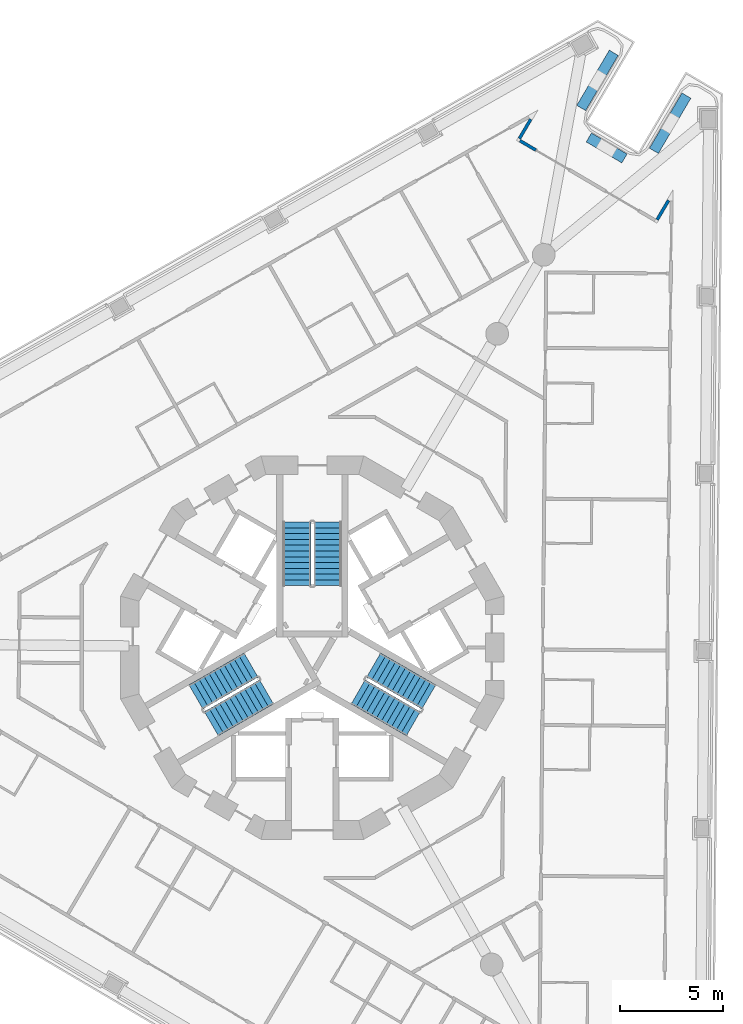
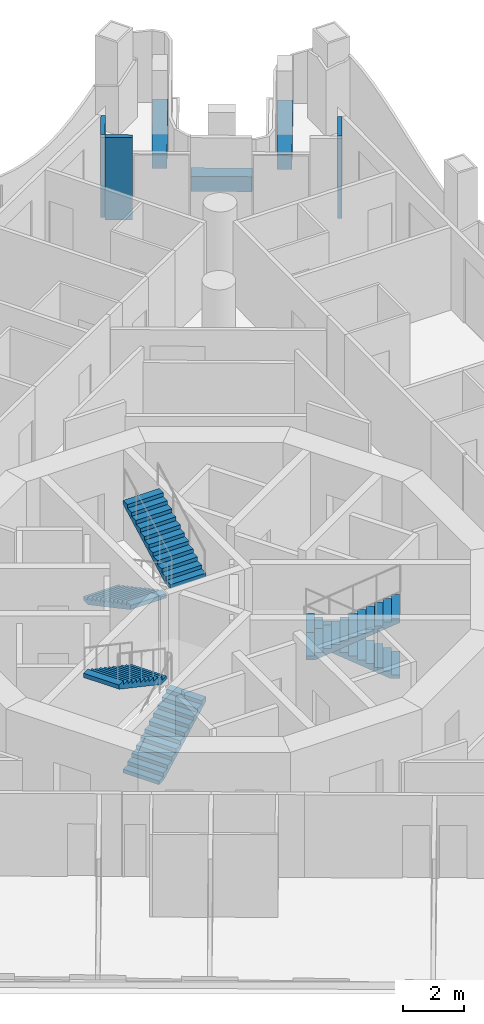
# One storey, part 10 of 17: 6 stair flights, 6 walls, 3 elements without a shape of their own.
"""IFC4 building model written with IfcOpenShell, lengths in metres."""

from ifc_helpers import new_model, si_unit, direction, frame, frame_2d, origin, place, context, subcontext, project, spatial, polyline, rectangle, outline, extrude, material, layer, layer_set, type_object, element, aggregate, save


model = new_model("IFC4")

# Units and contexts
model_context = context("Model", 3, precision=1e-05, world=origin(), true_north=direction((0.0, 1.0)))
body_context = subcontext(model_context, "Body", "Model", "MODEL_VIEW")
ifc_project = project(units=[si_unit("LENGTHUNIT", "METRE"), si_unit("AREAUNIT", "SQUARE_METRE"), si_unit("VOLUMEUNIT", "CUBIC_METRE"), si_unit("PLANEANGLEUNIT", "RADIAN"), si_unit("MASSUNIT", "GRAM", prefix="KILO")], contexts=[model_context])

# Site, building, storey
site_placement = place(None, origin())
site = spatial("IfcSite", under=ifc_project, at=site_placement, CompositionType="ELEMENT")
building_placement = place(site_placement, origin())
building = spatial("IfcBuilding", under=site, at=building_placement, Name="Trine Commons Tower", CompositionType="ELEMENT")
storey_placement = place(building_placement, frame((0.0, 0.0, 168.300048828125)))
storey = spatial("IfcBuildingStorey", under=building, at=storey_placement, Name="L43", CompositionType="ELEMENT", Elevation=168.300048828125)

# Walls
ifc_material_1 = material(Name="Aluminium-framed insulated wall panel", Category="aluminium")
ifc_layer_1 = layer(ifc_material_1, 0.14990234375)
ifc_layer_set_1 = layer_set([ifc_layer_1], Name="Aluminium-framed insulated wall panel")
wall_type_1 = type_object("IfcWallType", Name="Glazed frame wall 150, EI 60", PredefinedType="SOLIDWALL", material=ifc_layer_set_1)
wall_1_placement = place(storey_placement, frame((90.63720703125, 88.173583984375, 0.0), z_axis=(0.0, 0.0, 1.0), x_axis=(-0.507591242276, -0.861598009958, 0.0)))
element("IfcWall", 1, at=wall_1_placement, inside=storey, type_object=wall_type_1, Name="Glazed frame wall R5", PredefinedType="SOLIDWALL", context=body_context, shape_type="SweptSolid", body=[
    extrude(outline(polyline([(0.1494140625, 0.074951171875), (0.1494140625, -0.074951171875), (1.235107421875, -0.074951171875), (1.235107421875, 0.074951171875), (0.1494140625, 0.074951171875)])), origin(), (0.0, 0.0, 1.0), 3.300048828125),
])
wall_2_placement = place(storey_placement, frame((89.9423828125, 87.062744140625, 0.0), z_axis=(0.0, 0.0, 1.0), x_axis=(0.861601384654, -0.50758551394, 0.0)))
element("IfcWall", 2, at=wall_2_placement, inside=storey, type_object=wall_type_1, Name="Glazed frame wall P2.1", PredefinedType="SOLIDWALL", context=body_context, shape_type="SweptSolid", body=[
    extrude(outline(polyline([(0.110107421875, -0.074951171875), (1.0, -0.074951171875), (1.0, 0.074951171875), (0.110107421875, 0.074951171875), (0.110107421875, -0.074951171875)])), origin(), (0.0, 0.0, 1.0), 3.300048828125),
])
wall_3_placement = place(storey_placement, frame((96.614990234375, 83.091552734375, 0.0), z_axis=(0.0, 0.0, 1.0), x_axis=(0.507511857062, 0.86164477306, 0.0)))
element("IfcWall", 3, at=wall_3_placement, inside=storey, type_object=wall_type_1, Name="Glazed frame wall R7", PredefinedType="SOLIDWALL", context=body_context, shape_type="SweptSolid", body=[
    extrude(outline(polyline([(0.110107421875, 0.074951171875), (0.110107421875, -0.074951171875), (1.19580078125, -0.074951171875), (1.19580078125, 0.074951171875), (0.110107421875, 0.074951171875)])), origin(), (0.0, 0.0, 1.0), 3.300048828125),
])
ifc_material_2 = material(Name="Planter trough, precast concrete C40/50", Category="concrete")
ifc_layer_2 = layer(ifc_material_2, 0.5)
ifc_layer_set_2 = layer_set([ifc_layer_2], Name="Planter trough, precast concrete C40/50")
wall_type_2 = type_object("IfcWallType", Name="Planter trough 500x600", PredefinedType="PARAPET", material=ifc_layer_set_2)
wall_4_placement = place(storey_placement, frame((94.572509765625, 91.25830078125, 0.0), z_axis=(0.0, 0.0, 1.0), x_axis=(-0.507587916184, -0.861599969443, 0.0)))
element("IfcWall", 4, at=wall_4_placement, inside=storey, type_object=wall_type_2, Name="Planter 4", PredefinedType="PARAPET", context=body_context, shape_type="SweptSolid", body=[
    extrude(rectangle(XDim=3.099853515625, YDim=0.5, at=frame_2d((1.5498046875, 0.0))), origin(), (0.0, 0.0, 1.0), 0.599853515625),
])
wall_5_placement = place(storey_placement, frame((93.3671875, 87.163330078125, 0.0), z_axis=(0.0, 0.0, 1.0), x_axis=(0.861632831324, -0.507532130988, 0.0)))
element("IfcWall", 5, at=wall_5_placement, inside=storey, type_object=wall_type_2, Name="Planter 5", PredefinedType="PARAPET", context=body_context, shape_type="SweptSolid", body=[
    extrude(rectangle(XDim=2.000244140625, YDim=0.5, at=frame_2d((1.0, 0.0))), origin(), (0.0, 0.0, 1.0), 0.599853515625),
])
wall_6_placement = place(storey_placement, frame((96.514404296875, 86.5166015625, 0.0), z_axis=(0.0, 0.0, 1.0), x_axis=(0.507587916184, 0.861599969443, 0.0)))
element("IfcWall", 6, at=wall_6_placement, inside=storey, type_object=wall_type_2, Name="Planter 6", PredefinedType="PARAPET", context=body_context, shape_type="SweptSolid", body=[
    extrude(rectangle(XDim=3.099853515625, YDim=0.5, at=frame_2d((1.5498046875, 0.0))), origin(), (0.0, 0.0, 1.0), 0.599853515625),
])

# Stair, stair flights
ifc_material_3 = material(Name="Concrete C50/60", Category="concrete")
stair_type = type_object("IfcStairType", Name="Exit stair, dog-leg, 24 risers of 150 mm", PredefinedType="HALF_TURN_STAIR", material=ifc_material_3)
stair_1_placement = place(storey_placement, origin())
stair_1 = element("IfcStair", 7, at=stair_1_placement, inside=storey, type_object=stair_type, Name="L43 Exit stair ST1B", PredefinedType="HALF_TURN_STAIR")
stair_flight_type = type_object("IfcStairFlightType", Name="Stair flight, 1350 wide, 12 risers of 150 mm", PredefinedType="STRAIGHT", material=ifc_material_3)
stair_flight_1_placement = place(storey_placement, frame((79.25, 68.570556640625, 0.0), z_axis=(0.0, 0.0, 1.0), x_axis=(0.0, -1.0, 0.0)))
stair_flight_1 = element("IfcStairFlight", 8, at=stair_flight_1_placement, type_object=stair_flight_type, Name="ST1B flight 1", NumberOfRisers=12, NumberOfTreads=11, PredefinedType="STRAIGHT", RiserHeight=0.15, TreadLength=0.28, context=body_context, shape_type="SweptSolid", body=[
    extrude(outline(polyline([(0.0, 0.0), (0.0, 0.14990234375), (0.280029296875, 0.14990234375), (0.280029296875, 0.300048828125), (0.56005859375, 0.300048828125), (0.56005859375, 0.449951171875), (0.840087890625, 0.449951171875), (0.840087890625, 0.60009765625), (1.1201171875, 0.60009765625), (1.1201171875, 0.75), (1.39990234375, 0.75), (1.39990234375, 0.89990234375), (1.679931640625, 0.89990234375), (1.679931640625, 1.050048828125), (1.9599609375, 1.050048828125), (1.9599609375, 1.199951171875), (2.239990234375, 1.199951171875), (2.239990234375, 1.35009765625), (2.52001953125, 1.35009765625), (2.52001953125, 1.5), (2.800048828125, 1.5), (2.800048828125, 1.64990234375), (3.080078125, 1.64990234375), (3.080078125, 1.800048828125), (3.080078125, 1.47998046875), (0.3173828125, 0.0), (0.0, 0.0)])), frame((0.0, 0.675048828125, 0.0), z_axis=(0.0, -1.0, 0.0), x_axis=(1.0, 0.0, 0.0)), (0.0, 0.0, 1.0), 1.35009765625),
])
stair_flight_2_placement = place(storey_placement, frame((80.75, 65.490478515625, 1.800048828125), z_axis=(0.0, 0.0, 1.0), x_axis=(0.0, 1.0, 0.0)))
stair_flight_2 = element("IfcStairFlight", 9, at=stair_flight_2_placement, type_object=stair_flight_type, Name="ST1B flight 2", NumberOfRisers=12, NumberOfTreads=11, PredefinedType="STRAIGHT", RiserHeight=0.15, TreadLength=0.28, context=body_context, shape_type="SweptSolid", body=[
    extrude(outline(polyline([(0.0, 0.0), (0.0, 0.14990234375), (0.280029296875, 0.14990234375), (0.280029296875, 0.300048828125), (0.56005859375, 0.300048828125), (0.56005859375, 0.449951171875), (0.840087890625, 0.449951171875), (0.840087890625, 0.60009765625), (1.1201171875, 0.60009765625), (1.1201171875, 0.75), (1.39990234375, 0.75), (1.39990234375, 0.89990234375), (1.679931640625, 0.89990234375), (1.679931640625, 1.050048828125), (1.9599609375, 1.050048828125), (1.9599609375, 1.199951171875), (2.239990234375, 1.199951171875), (2.239990234375, 1.35009765625), (2.52001953125, 1.35009765625), (2.52001953125, 1.5), (2.800048828125, 1.5), (2.800048828125, 1.64990234375), (3.080078125, 1.64990234375), (3.080078125, 1.800048828125), (3.080078125, 1.47998046875), (0.3173828125, 0.0), (0.0, 0.0)])), frame((0.0, 0.675048828125, 0.0), z_axis=(0.0, -1.0, 0.0), x_axis=(1.0, 0.0, 0.0)), (0.0, 0.0, 1.0), 1.35009765625),
])
aggregate(stair_1, [stair_flight_1, stair_flight_2])

stair_2_placement = place(storey_placement, origin())
stair_2 = element("IfcStair", 10, at=stair_2_placement, inside=storey, type_object=stair_type, Name="L43 Exit stair ST2B", PredefinedType="HALF_TURN_STAIR")
stair_flight_3_placement = place(storey_placement, frame((75.11767578125, 58.815185546875, 0.0), z_axis=(0.0, 0.0, 1.0), x_axis=(0.866025403784, 0.5, 0.0)))
stair_flight_3 = element("IfcStairFlight", 11, at=stair_flight_3_placement, type_object=stair_flight_type, Name="ST2B flight 1", NumberOfRisers=12, NumberOfTreads=11, PredefinedType="STRAIGHT", RiserHeight=0.15, TreadLength=0.28, context=body_context, shape_type="SweptSolid", body=[
    extrude(outline(polyline([(0.0, 0.0), (0.0, 0.14990234375), (0.280029296875, 0.14990234375), (0.280029296875, 0.300048828125), (0.56005859375, 0.300048828125), (0.56005859375, 0.449951171875), (0.840087890625, 0.449951171875), (0.840087890625, 0.60009765625), (1.1201171875, 0.60009765625), (1.1201171875, 0.75), (1.39990234375, 0.75), (1.39990234375, 0.89990234375), (1.679931640625, 0.89990234375), (1.679931640625, 1.050048828125), (1.9599609375, 1.050048828125), (1.9599609375, 1.199951171875), (2.239990234375, 1.199951171875), (2.239990234375, 1.35009765625), (2.52001953125, 1.35009765625), (2.52001953125, 1.5), (2.800048828125, 1.5), (2.800048828125, 1.64990234375), (3.080078125, 1.64990234375), (3.080078125, 1.800048828125), (3.080078125, 1.47998046875), (0.3173828125, 0.0), (0.0, 0.0)])), frame((0.0, 0.675048828125, 0.0), z_axis=(0.0, -1.0, 0.0), x_axis=(1.0, 0.0, 0.0)), (0.0, 0.0, 1.0), 1.35009765625),
])
stair_flight_4_placement = place(storey_placement, frame((77.03515625, 61.654296875, 1.800048828125), z_axis=(0.0, 0.0, 1.0), x_axis=(-0.866025403784, -0.5, 0.0)))
stair_flight_4 = element("IfcStairFlight", 12, at=stair_flight_4_placement, type_object=stair_flight_type, Name="ST2B flight 2", NumberOfRisers=12, NumberOfTreads=11, PredefinedType="STRAIGHT", RiserHeight=0.15, TreadLength=0.28, context=body_context, shape_type="SweptSolid", body=[
    extrude(outline(polyline([(0.0, 0.0), (0.0, 0.14990234375), (0.280029296875, 0.14990234375), (0.280029296875, 0.300048828125), (0.56005859375, 0.300048828125), (0.56005859375, 0.449951171875), (0.840087890625, 0.449951171875), (0.840087890625, 0.60009765625), (1.1201171875, 0.60009765625), (1.1201171875, 0.75), (1.39990234375, 0.75), (1.39990234375, 0.89990234375), (1.679931640625, 0.89990234375), (1.679931640625, 1.050048828125), (1.9599609375, 1.050048828125), (1.9599609375, 1.199951171875), (2.239990234375, 1.199951171875), (2.239990234375, 1.35009765625), (2.52001953125, 1.35009765625), (2.52001953125, 1.5), (2.800048828125, 1.5), (2.800048828125, 1.64990234375), (3.080078125, 1.64990234375), (3.080078125, 1.800048828125), (3.080078125, 1.47998046875), (0.3173828125, 0.0), (0.0, 0.0)])), frame((0.0, 0.675048828125, 0.0), z_axis=(0.0, -1.0, 0.0), x_axis=(1.0, 0.0, 0.0)), (0.0, 0.0, 1.0), 1.35009765625),
])
aggregate(stair_2, [stair_flight_3, stair_flight_4])

stair_3_placement = place(storey_placement, origin())
stair_3 = element("IfcStair", 13, at=stair_3_placement, inside=storey, type_object=stair_type, Name="L43 Exit stair ST3B", PredefinedType="HALF_TURN_STAIR")
stair_flight_5_placement = place(storey_placement, frame((85.63232421875, 60.1142578125, 0.0), z_axis=(0.0, 0.0, 1.0), x_axis=(-0.866025403784, 0.5, 0.0)))
stair_flight_5 = element("IfcStairFlight", 14, at=stair_flight_5_placement, type_object=stair_flight_type, Name="ST3B flight 1", NumberOfRisers=12, NumberOfTreads=11, PredefinedType="STRAIGHT", RiserHeight=0.15, TreadLength=0.28, context=body_context, shape_type="SweptSolid", body=[
    extrude(outline(polyline([(0.0, 0.0), (0.0, 0.14990234375), (0.280029296875, 0.14990234375), (0.280029296875, 0.300048828125), (0.56005859375, 0.300048828125), (0.56005859375, 0.449951171875), (0.840087890625, 0.449951171875), (0.840087890625, 0.60009765625), (1.1201171875, 0.60009765625), (1.1201171875, 0.75), (1.39990234375, 0.75), (1.39990234375, 0.89990234375), (1.679931640625, 0.89990234375), (1.679931640625, 1.050048828125), (1.9599609375, 1.050048828125), (1.9599609375, 1.199951171875), (2.239990234375, 1.199951171875), (2.239990234375, 1.35009765625), (2.52001953125, 1.35009765625), (2.52001953125, 1.5), (2.800048828125, 1.5), (2.800048828125, 1.64990234375), (3.080078125, 1.64990234375), (3.080078125, 1.800048828125), (3.080078125, 1.47998046875), (0.3173828125, 0.0), (0.0, 0.0)])), frame((0.0, 0.675048828125, 0.0), z_axis=(0.0, -1.0, 0.0), x_axis=(1.0, 0.0, 0.0)), (0.0, 0.0, 1.0), 1.35009765625),
])
stair_flight_6_placement = place(storey_placement, frame((82.21484375, 60.355224609375, 1.800048828125), z_axis=(0.0, 0.0, 1.0), x_axis=(0.866025403784, -0.5, 0.0)))
stair_flight_6 = element("IfcStairFlight", 15, at=stair_flight_6_placement, type_object=stair_flight_type, Name="ST3B flight 2", NumberOfRisers=12, NumberOfTreads=11, PredefinedType="STRAIGHT", RiserHeight=0.15, TreadLength=0.28, context=body_context, shape_type="SweptSolid", body=[
    extrude(outline(polyline([(0.0, 0.0), (0.0, 0.14990234375), (0.280029296875, 0.14990234375), (0.280029296875, 0.300048828125), (0.56005859375, 0.300048828125), (0.56005859375, 0.449951171875), (0.840087890625, 0.449951171875), (0.840087890625, 0.60009765625), (1.1201171875, 0.60009765625), (1.1201171875, 0.75), (1.39990234375, 0.75), (1.39990234375, 0.89990234375), (1.679931640625, 0.89990234375), (1.679931640625, 1.050048828125), (1.9599609375, 1.050048828125), (1.9599609375, 1.199951171875), (2.239990234375, 1.199951171875), (2.239990234375, 1.35009765625), (2.52001953125, 1.35009765625), (2.52001953125, 1.5), (2.800048828125, 1.5), (2.800048828125, 1.64990234375), (3.080078125, 1.64990234375), (3.080078125, 1.800048828125), (3.080078125, 1.47998046875), (0.3173828125, 0.0), (0.0, 0.0)])), frame((0.0, 0.675048828125, 0.0), z_axis=(0.0, -1.0, 0.0), x_axis=(1.0, 0.0, 0.0)), (0.0, 0.0, 1.0), 1.35009765625),
])
aggregate(stair_3, [stair_flight_5, stair_flight_6])

save(model, "model.ifc")
